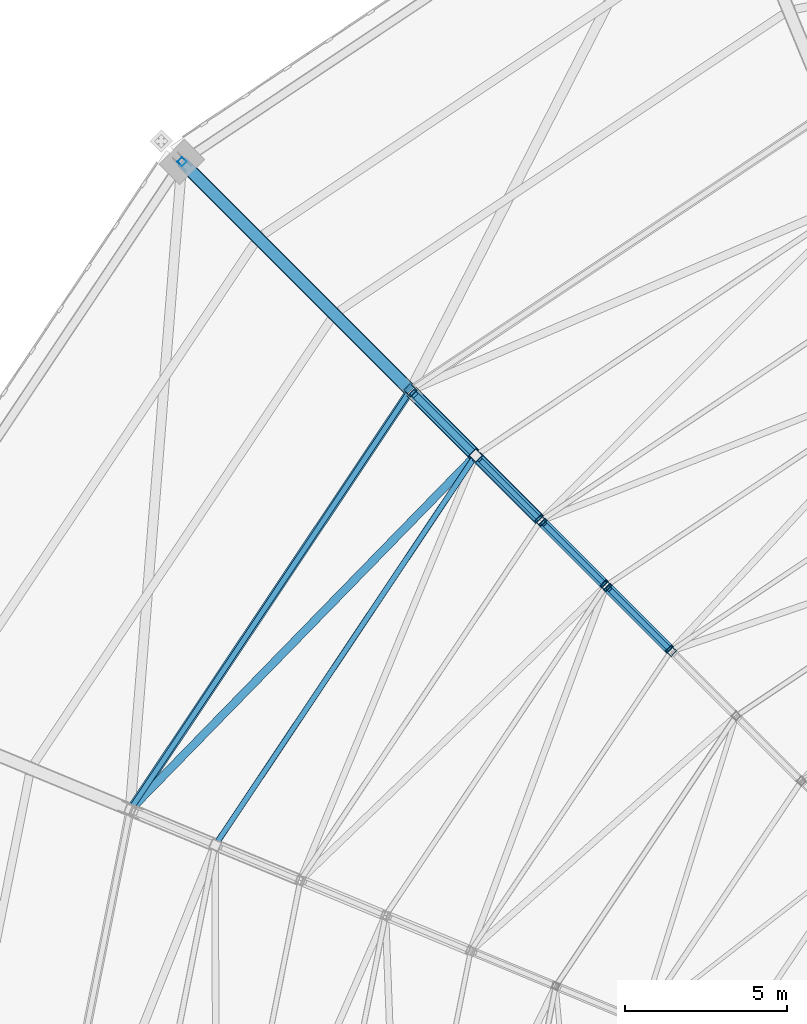
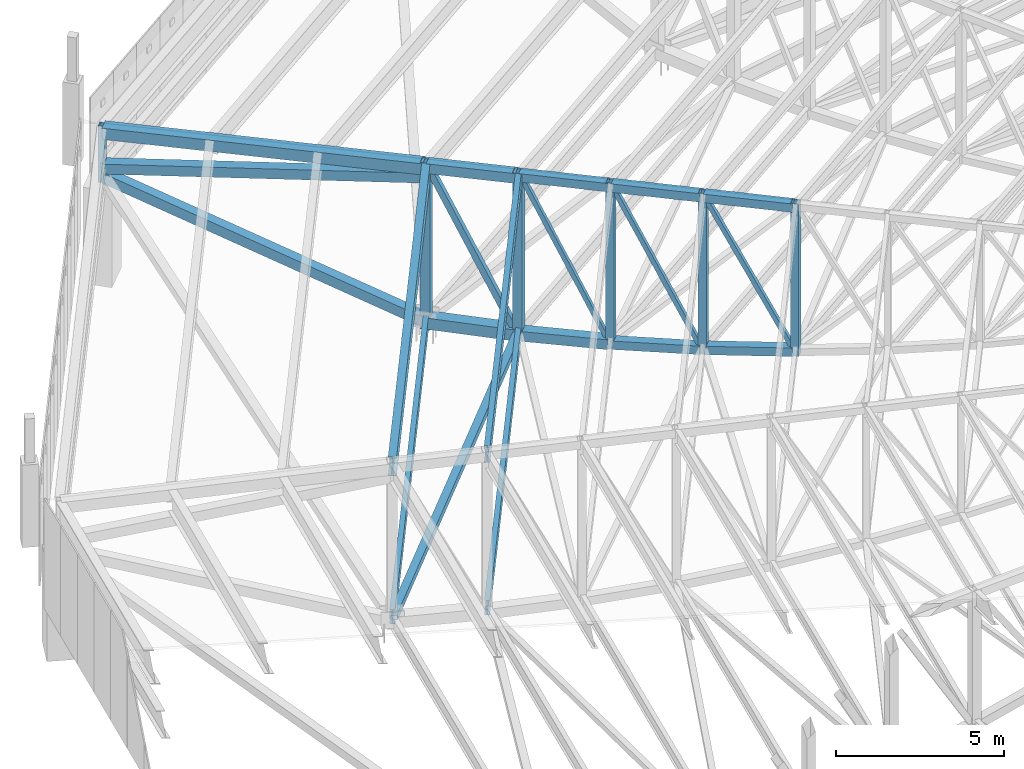
# One storey, part 70 of 278: 16 beams, 10 members.
"""IFC4 building model written with IfcOpenShell, lengths in metres."""

from ifc_helpers import new_model, si_unit, direction, frame, origin, origin_2d, place, context, subcontext, project, spatial, hollow_rectangle, i_section, extrude, material, material_profile, profile_set, type_object, element, save


model = new_model("IFC4")

# Units and contexts
model_context = context("Model", 3, precision=1e-05, world=origin(), true_north=direction((0.0, 1.0)))
body_context = subcontext(model_context, "Body", "Model", "MODEL_VIEW")
ifc_project = project(units=[si_unit("LENGTHUNIT", "METRE"), si_unit("AREAUNIT", "SQUARE_METRE"), si_unit("VOLUMEUNIT", "CUBIC_METRE"), si_unit("PLANEANGLEUNIT", "RADIAN"), si_unit("MASSUNIT", "GRAM", prefix="KILO")], contexts=[model_context])

# Site, building, storey
site_placement = place(None, origin())
site = spatial("IfcSite", under=ifc_project, at=site_placement, CompositionType="ELEMENT")
building_placement = place(site_placement, origin())
building = spatial("IfcBuilding", under=site, at=building_placement, Name="Ogive Plaza Stadium", CompositionType="ELEMENT")
storey_placement = place(building_placement, frame((0.0, 0.0, 29.0)))
storey = spatial("IfcBuildingStorey", under=building, at=storey_placement, Name="Roof", CompositionType="ELEMENT", Elevation=29.0)

# Members
ifc_material_1 = material(Name="Steel ASTM A500 Grade C", Category="steel")
ifc_material_profile_1 = material_profile(ifc_material_1, hollow_rectangle(XDim=0.25390625, YDim=0.25390625, WallThickness=0.0087890625, at=origin_2d()), Name="HSS10X10X3/8")
ifc_profile_set_1 = profile_set([ifc_material_profile_1], Name="Steel ASTM A500 Grade C")
member_type_1 = type_object("IfcMemberType", Name="Roof plan brace HSS10X10X3/8", PredefinedType="BRACE", material=ifc_profile_set_1)
member_1_placement = place(storey_placement, frame((-60.355712890625, 78.68017578125, 0.266845703125), z_axis=(-0.698042453973, -0.716044061782, -0.004199290068), x_axis=(0.71605037524, -0.698048608708, 0.0)))
element("IfcMember", 1, at=member_1_placement, inside=storey, type_object=member_type_1, Name="ROOF BRACE B29 10", PredefinedType="BRACE", context=body_context, shape_type="SweptSolid", body=[
    extrude(hollow_rectangle(XDim=0.25390625, YDim=0.25390625, WallThickness=0.0087890625, at=origin_2d()), origin(), (0.0, 0.0, 1.0), 14.999755859375),
])
ifc_material_2 = material(Name="Steel ASTM A992 Grade 50", Category="steel")
ifc_material_profile_2 = material_profile(ifc_material_2, i_section(OverallWidth=0.1650390625, OverallDepth=0.524658203125, WebThickness=0.0087890625, FlangeThickness=0.011474609375, at=origin_2d()), Name="W21X44")
ifc_profile_set_2 = profile_set([ifc_material_profile_2], Name="Steel ASTM A992 Grade 50")
member_type_2 = type_object("IfcMemberType", Name="Roof plan strut W21X44", PredefinedType="STRUT", material=ifc_profile_set_2)
member_2_placement = place(storey_placement, frame((-68.243408203125, 66.834716796875, 0.267333984375), z_axis=(0.555572061125, 0.831468390799, 0.0), x_axis=(-0.831468390799, 0.555572061125, 0.0)))
element("IfcMember", 2, at=member_2_placement, inside=storey, type_object=member_type_2, Name="ROOF STRUT B29 9", PredefinedType="STRUT", context=body_context, shape_type="SweptSolid", body=[
    extrude(i_section(OverallWidth=0.1650390625, OverallDepth=0.524658203125, WebThickness=0.0087890625, FlangeThickness=0.011474609375, at=origin_2d()), origin(), (0.0, 0.0, 1.0), 14.21142578125),
])
member_3_placement = place(storey_placement, frame((-70.87646484375, 67.92529296875, 0.203125), z_axis=(0.55557861986, 0.831464008334, 0.0), x_axis=(-0.831464008334, 0.55557861986, 0.0)))
element("IfcMember", 3, at=member_3_placement, inside=storey, type_object=member_type_2, Name="ROOF STRUT B29 10", PredefinedType="STRUT", context=body_context, shape_type="SweptSolid", body=[
    extrude(i_section(OverallWidth=0.1650390625, OverallDepth=0.524658203125, WebThickness=0.0087890625, FlangeThickness=0.011474609375, at=origin_2d()), origin(), (0.0, 0.0, 1.0), 15.323486328125),
])
ifc_material_3 = material(Name="Steel ASTM A992 Grade 50", Category="steel")
ifc_material_profile_3 = material_profile(ifc_material_3, i_section(OverallWidth=0.177978515625, OverallDepth=0.5986328125, WebThickness=0.010009765625, FlangeThickness=0.012939453125, at=origin_2d()), Name="W24X55")
ifc_profile_set_3 = profile_set([ifc_material_profile_3], Name="Steel ASTM A992 Grade 50")
member_type_3 = type_object("IfcMemberType", Name="Roof purlin W24X55", PredefinedType="PURLIN", material=ifc_profile_set_3)
member_4_placement = place(storey_placement, frame((-68.24267578125, 66.835693359375, 5.84326171875), z_axis=(0.555576164606, 0.831465648913, 0.0), x_axis=(-0.831465648913, 0.555576164606, 0.0)))
element("IfcMember", 4, at=member_4_placement, inside=storey, type_object=member_type_3, Name="ROOF PURLIN B29 9", PredefinedType="PURLIN", context=body_context, shape_type="SweptSolid", body=[
    extrude(i_section(OverallWidth=0.177978515625, OverallDepth=0.5986328125, WebThickness=0.010009765625, FlangeThickness=0.012939453125, at=origin_2d()), origin(), (0.0, 0.0, 1.0), 14.209228515625),
])
ifc_material_4 = material(Name="Steel ASTM A992 Grade 50", Category="steel")
ifc_material_profile_4 = material_profile(ifc_material_4, i_section(OverallWidth=0.2529296875, OverallDepth=0.678466796875, WebThickness=0.01171875, FlangeThickness=0.016357421875, at=origin_2d()), Name="W27X84")
ifc_profile_set_4 = profile_set([ifc_material_profile_4], Name="Steel ASTM A992 Grade 50")
member_type_4 = type_object("IfcMemberType", Name="Roof purlin W27X84", PredefinedType="PURLIN", material=ifc_profile_set_4)
member_5_placement = place(storey_placement, frame((-70.87158203125, 67.9326171875, 5.660888671875), z_axis=(0.55557226162, 0.831468256832, 0.0), x_axis=(-0.831468256832, 0.55557226162, 0.0)))
element("IfcMember", 5, at=member_5_placement, inside=storey, type_object=member_type_4, Name="ROOF PURLIN B29 10", PredefinedType="PURLIN", context=body_context, shape_type="SweptSolid", body=[
    extrude(i_section(OverallWidth=0.2529296875, OverallDepth=0.678466796875, WebThickness=0.01171875, FlangeThickness=0.016357421875, at=origin_2d()), origin(), (0.0, 0.0, 1.0), 15.30615234375),
])

# Beams
ifc_material_5 = material(Name="Steel ASTM A500 Grade C", Category="steel")
ifc_material_profile_5 = material_profile(ifc_material_5, hollow_rectangle(XDim=0.355712890625, YDim=0.355712890625, WallThickness=0.0146484375, at=origin_2d()), Name="HSS14X14X5/8")
ifc_profile_set_5 = profile_set([ifc_material_profile_5], Name="Steel ASTM A500 Grade C")
beam_type_1 = type_object("IfcBeamType", Name="Roof truss back-span bottom chord HSS14X14X5/8", PredefinedType="BEAM", material=ifc_profile_set_5)
beam_1_placement = place(storey_placement, frame((-62.319580078125, 80.819580078125, 0.205810546875), z_axis=(-0.667408831989, 0.667408831989, 0.330349666211), x_axis=(-0.707106781187, -0.707106781187, 0.0)))
element("IfcBeam", 6, at=beam_1_placement, inside=storey, type_object=beam_type_1, Name="ROOF TRUSS T30 BOTTOM CHORD 11", PredefinedType="BEAM", context=body_context, shape_type="SweptSolid", body=[
    extrude(hollow_rectangle(XDim=0.355712890625, YDim=0.355712890625, WallThickness=0.0146484375, at=origin_2d()), origin(), (0.0, 0.0, 1.0), 10.4794921875),
])
ifc_material_6 = material(Name="Steel ASTM A500 Grade C", Category="steel")
ifc_material_profile_6 = material_profile(ifc_material_6, hollow_rectangle(XDim=0.406494140625, YDim=0.406494140625, WallThickness=0.01171875, at=origin_2d()), Name="HSS16X16X1/2")
ifc_profile_set_6 = profile_set([ifc_material_profile_6], Name="Steel ASTM A500 Grade C")
beam_type_2 = type_object("IfcBeamType", Name="Roof truss back-span top chord HSS16X16X1/2", PredefinedType="BEAM", material=ifc_profile_set_6)
beam_2_placement = place(storey_placement, frame((-62.319580078125, 80.819580078125, 5.7939453125), z_axis=(-0.706225036151, 0.706225036151, -0.049923908359), x_axis=(-0.707106781187, -0.707106781187, 0.0)))
element("IfcBeam", 7, at=beam_2_placement, inside=storey, type_object=beam_type_2, Name="ROOF TRUSS T30 TOP CHORD 11", PredefinedType="BEAM", context=body_context, shape_type="SweptSolid", body=[
    extrude(hollow_rectangle(XDim=0.406494140625, YDim=0.406494140625, WallThickness=0.01171875, at=origin_2d()), origin(), (0.0, 0.0, 1.0), 9.91259765625),
])

# Member
ifc_material_7 = material(Name="Steel ASTM A500 Grade C", Category="steel")
ifc_material_profile_7 = material_profile(ifc_material_7, hollow_rectangle(XDim=0.355712890625, YDim=0.355712890625, WallThickness=0.01171875, at=origin_2d()), Name="HSS14X14X1/2")
ifc_profile_set_7 = profile_set([ifc_material_profile_7], Name="Steel ASTM A500 Grade C")
member_type_5 = type_object("IfcMemberType", Name="Roof truss back-stay HSS14X14X1/2", PredefinedType="BRACE", material=ifc_profile_set_7)
member_6_placement = place(storey_placement, frame((-62.331787109375, 80.831787109375, 5.456787109375), z_axis=(-0.699520899886, 0.699520899886, -0.146085664062), x_axis=(-0.707106781187, -0.707106781187, 0.0)))
element("IfcMember", 8, at=member_6_placement, inside=storey, type_object=member_type_5, Name="BACK-STAY T30", PredefinedType="BRACE", context=body_context, shape_type="SweptSolid", body=[
    extrude(hollow_rectangle(XDim=0.355712890625, YDim=0.355712890625, WallThickness=0.01171875, at=origin_2d()), origin(), (0.0, 0.0, 1.0), 10.02392578125),
])

# Beams
ifc_material_8 = material(Name="Steel ASTM A500 Grade C", Category="steel")
ifc_material_profile_8 = material_profile(ifc_material_8, hollow_rectangle(XDim=0.3046875, YDim=0.3046875, WallThickness=0.0146484375, at=origin_2d()), Name="HSS12X12X5/8")
ifc_profile_set_8 = profile_set([ifc_material_profile_8], Name="Steel ASTM A500 Grade C")
beam_type_3 = type_object("IfcBeamType", Name="Roof truss bottom chord HSS12X12X5/8", PredefinedType="BEAM", material=ifc_profile_set_8)
beam_3_placement = place(storey_placement, frame((-54.258544921875, 72.758544921875, 1.17431640625), z_axis=(-0.698468783112, 0.698468783112, -0.155829130896), x_axis=(-0.707106781187, -0.707106781187, 0.0)))
element("IfcBeam", 9, at=beam_3_placement, inside=storey, type_object=beam_type_3, Name="ROOF TRUSS T30 BOTTOM CHORD 7", PredefinedType="BEAM", context=body_context, shape_type="SweptSolid", body=[
    extrude(hollow_rectangle(XDim=0.3046875, YDim=0.3046875, WallThickness=0.0146484375, at=origin_2d()), origin(), (0.0, 0.0, 1.0), 2.7841796875),
])
beam_4_placement = place(storey_placement, frame((-56.27392578125, 74.77392578125, 0.72607421875), z_axis=(-0.702654892107, 0.702654892107, -0.112036624354), x_axis=(-0.707106781187, -0.707106781187, 0.0)))
element("IfcBeam", 10, at=beam_4_placement, inside=storey, type_object=beam_type_3, Name="ROOF TRUSS T30 BOTTOM CHORD 8", PredefinedType="BEAM", context=body_context, shape_type="SweptSolid", body=[
    extrude(hollow_rectangle(XDim=0.3046875, YDim=0.3046875, WallThickness=0.0146484375, at=origin_2d()), origin(), (0.0, 0.0, 1.0), 2.767578125),
])
ifc_material_9 = material(Name="Steel ASTM A500 Grade C", Category="steel")
ifc_material_profile_9 = material_profile(ifc_material_9, hollow_rectangle(XDim=0.355712890625, YDim=0.355712890625, WallThickness=0.0146484375, at=origin_2d()), Name="HSS14X14X5/8")
ifc_profile_set_9 = profile_set([ifc_material_profile_9], Name="Steel ASTM A500 Grade C")
beam_type_4 = type_object("IfcBeamType", Name="Roof truss bottom chord HSS14X14X5/8", PredefinedType="BEAM", material=ifc_profile_set_9)
beam_5_placement = place(storey_placement, frame((-58.2890625, 76.7890625, 0.431884765625), z_axis=(-0.705494369508, 0.705494369508, -0.067493623298), x_axis=(-0.707106781187, -0.707106781187, 0.0)))
element("IfcBeam", 11, at=beam_5_placement, inside=storey, type_object=beam_type_4, Name="ROOF TRUSS T30 BOTTOM CHORD 9", PredefinedType="BEAM", context=body_context, shape_type="SweptSolid", body=[
    extrude(hollow_rectangle(XDim=0.355712890625, YDim=0.355712890625, WallThickness=0.0146484375, at=origin_2d()), origin(), (0.0, 0.0, 1.0), 2.75634765625),
])
ifc_material_10 = material(Name="Steel ASTM A500 Grade C", Category="steel")
ifc_material_profile_10 = material_profile(ifc_material_10, hollow_rectangle(XDim=0.406494140625, YDim=0.406494140625, WallThickness=0.0146484375, at=origin_2d()), Name="HSS16X16X5/8")
ifc_profile_set_10 = profile_set([ifc_material_profile_10], Name="Steel ASTM A500 Grade C")
beam_type_5 = type_object("IfcBeamType", Name="Roof truss bottom chord HSS16X16X5/8", PredefinedType="BEAM", material=ifc_profile_set_10)
beam_6_placement = place(storey_placement, frame((-60.304443359375, 78.804443359375, 0.266357421875), z_axis=(-0.706927078197, 0.706927078197, -0.02254356282), x_axis=(-0.707106781187, -0.707106781187, 0.0)))
element("IfcBeam", 12, at=beam_6_placement, inside=storey, type_object=beam_type_5, Name="ROOF TRUSS T30 BOTTOM CHORD 10", PredefinedType="BEAM", context=body_context, shape_type="SweptSolid", body=[
    extrude(hollow_rectangle(XDim=0.406494140625, YDim=0.406494140625, WallThickness=0.0146484375, at=origin_2d()), origin(), (0.0, 0.0, 1.0), 2.750732421875),
])

# Members
ifc_material_11 = material(Name="Steel ASTM A500 Grade C", Category="steel")
ifc_material_profile_11 = material_profile(ifc_material_11, hollow_rectangle(XDim=0.15234375, YDim=0.15234375, WallThickness=0.0087890625, at=origin_2d()), Name="HSS6X6X3/8")
ifc_profile_set_11 = profile_set([ifc_material_profile_11], Name="Steel ASTM A500 Grade C")
member_type_6 = type_object("IfcMemberType", Name="Roof truss diagonal HSS6X6X3/8", PredefinedType="BRACE", material=ifc_profile_set_11)
member_7_placement = place(storey_placement, frame((-54.31298828125, 72.81298828125, 1.332763671875), z_axis=(-0.336929331101, 0.336929331101, 0.879179874478), x_axis=(-0.707106781187, -0.707106781187, 0.0)))
element("IfcMember", 13, at=member_7_placement, inside=storey, type_object=member_type_6, Name="ROOF TRUSS T30 DIAGONAL 7", PredefinedType="BRACE", context=body_context, shape_type="SweptSolid", body=[
    extrude(hollow_rectangle(XDim=0.15234375, YDim=0.15234375, WallThickness=0.0087890625, at=origin_2d()), origin(), (0.0, 0.0, 1.0), 5.4482421875),
])
member_8_placement = place(storey_placement, frame((-56.328369140625, 74.828369140625, 0.883056640625), z_axis=(-0.320914321747, 0.320914321747, 0.891082485629), x_axis=(-0.707106781187, -0.707106781187, 0.0)))
element("IfcMember", 14, at=member_8_placement, inside=storey, type_object=member_type_6, Name="ROOF TRUSS T30 DIAGONAL 8", PredefinedType="BRACE", context=body_context, shape_type="SweptSolid", body=[
    extrude(hollow_rectangle(XDim=0.15234375, YDim=0.15234375, WallThickness=0.0087890625, at=origin_2d()), origin(), (0.0, 0.0, 1.0), 5.72021484375),
])
member_9_placement = place(storey_placement, frame((-58.343505859375, 76.843505859375, 0.612548828125), z_axis=(-0.312137612277, 0.312137612277, 0.897296061511), x_axis=(-0.707106781187, -0.707106781187, 0.0)))
element("IfcMember", 15, at=member_9_placement, inside=storey, type_object=member_type_6, Name="ROOF TRUSS T30 DIAGONAL 9", PredefinedType="BRACE", context=body_context, shape_type="SweptSolid", body=[
    extrude(hollow_rectangle(XDim=0.15234375, YDim=0.15234375, WallThickness=0.0087890625, at=origin_2d()), origin(), (0.0, 0.0, 1.0), 5.8232421875),
])
ifc_material_12 = material(Name="Steel ASTM A500 Grade C", Category="steel")
ifc_material_profile_12 = material_profile(ifc_material_12, hollow_rectangle(XDim=0.203125, YDim=0.203125, WallThickness=0.0087890625, at=origin_2d()), Name="HSS8X8X3/8")
ifc_profile_set_12 = profile_set([ifc_material_profile_12], Name="Steel ASTM A500 Grade C")
member_type_7 = type_object("IfcMemberType", Name="Roof truss diagonal HSS8X8X3/8", PredefinedType="BRACE", material=ifc_profile_set_12)
member_10_placement = place(storey_placement, frame((-60.376708984375, 78.876708984375, 0.470703125), z_axis=(-0.31215123017, 0.31215123017, 0.897286586887), x_axis=(-0.707106781187, -0.707106781187, 0.0)))
element("IfcMember", 16, at=member_10_placement, inside=storey, type_object=member_type_7, Name="ROOF TRUSS T30 DIAGONAL 10", PredefinedType="BRACE", context=body_context, shape_type="SweptSolid", body=[
    extrude(hollow_rectangle(XDim=0.203125, YDim=0.203125, WallThickness=0.0087890625, at=origin_2d()), origin(), (0.0, 0.0, 1.0), 5.765869140625),
])

# Beams
ifc_material_13 = material(Name="Steel ASTM A500 Grade C", Category="steel")
ifc_material_profile_13 = material_profile(ifc_material_13, hollow_rectangle(XDim=0.25390625, YDim=0.25390625, WallThickness=0.01171875, at=origin_2d()), Name="HSS10X10X1/2")
ifc_profile_set_13 = profile_set([ifc_material_profile_13], Name="Steel ASTM A500 Grade C")
beam_type_6 = type_object("IfcBeamType", Name="Roof truss post HSS10X10X1/2", PredefinedType="BEAM", material=ifc_profile_set_13)
beam_7_placement = place(storey_placement, frame((-54.22314453125, 72.72314453125, 1.028076171875), z_axis=(0.0, 0.0, 1.0), x_axis=(-0.707106781187, -0.707106781187, 0.0)))
element("IfcBeam", 17, at=beam_7_placement, inside=storey, type_object=beam_type_6, Name="ROOF TRUSS T30 POST 7", PredefinedType="BEAM", context=body_context, shape_type="SweptSolid", body=[
    extrude(hollow_rectangle(XDim=0.25390625, YDim=0.25390625, WallThickness=0.01171875, at=origin_2d()), origin(), (0.0, 0.0, 1.0), 5.5419921875),
])
beam_8_placement = place(storey_placement, frame((-56.238525390625, 74.738525390625, 0.578369140625), z_axis=(0.0, 0.0, 1.0), x_axis=(-0.707106781187, -0.707106781187, 0.0)))
element("IfcBeam", 18, at=beam_8_placement, inside=storey, type_object=beam_type_6, Name="ROOF TRUSS T30 POST 8", PredefinedType="BEAM", context=body_context, shape_type="SweptSolid", body=[
    extrude(hollow_rectangle(XDim=0.25390625, YDim=0.25390625, WallThickness=0.01171875, at=origin_2d()), origin(), (0.0, 0.0, 1.0), 5.84912109375),
])
beam_9_placement = place(storey_placement, frame((-58.253662109375, 76.753662109375, 0.257080078125), z_axis=(0.0, 0.0, 1.0), x_axis=(-0.707106781187, -0.707106781187, 0.0)))
element("IfcBeam", 19, at=beam_9_placement, inside=storey, type_object=beam_type_6, Name="ROOF TRUSS T30 POST 9", PredefinedType="BEAM", context=body_context, shape_type="SweptSolid", body=[
    extrude(hollow_rectangle(XDim=0.25390625, YDim=0.25390625, WallThickness=0.01171875, at=origin_2d()), origin(), (0.0, 0.0, 1.0), 6.02783203125),
])
ifc_material_14 = material(Name="Steel ASTM A500 Grade C", Category="steel")
ifc_material_profile_14 = material_profile(ifc_material_14, hollow_rectangle(XDim=0.3046875, YDim=0.3046875, WallThickness=0.01171875, at=origin_2d()), Name="HSS12X12X1/2")
ifc_profile_set_14 = profile_set([ifc_material_profile_14], Name="Steel ASTM A500 Grade C")
beam_type_7 = type_object("IfcBeamType", Name="Roof truss post HSS12X12X1/2", PredefinedType="BEAM", material=ifc_profile_set_14)
beam_10_placement = place(storey_placement, frame((-60.26904296875, 78.76904296875, 0.064208984375), z_axis=(0.0, 0.0, 1.0), x_axis=(-0.707106781187, -0.707106781187, 0.0)))
element("IfcBeam", 20, at=beam_10_placement, inside=storey, type_object=beam_type_7, Name="ROOF TRUSS T30 POST 10", PredefinedType="BEAM", context=body_context, shape_type="SweptSolid", body=[
    extrude(hollow_rectangle(XDim=0.3046875, YDim=0.3046875, WallThickness=0.01171875, at=origin_2d()), origin(), (0.0, 0.0, 1.0), 6.078369140625),
])
beam_11_placement = place(storey_placement, frame((-62.2841796875, 80.7841796875, -0.06005859375), z_axis=(0.0, 0.0, 1.0), x_axis=(-0.707106781187, -0.707106781187, 0.0)))
element("IfcBeam", 21, at=beam_11_placement, inside=storey, type_object=beam_type_7, Name="ROOF TRUSS T30 POST 11", PredefinedType="BEAM", context=body_context, shape_type="SweptSolid", body=[
    extrude(hollow_rectangle(XDim=0.3046875, YDim=0.3046875, WallThickness=0.01171875, at=origin_2d()), origin(), (0.0, 0.0, 1.0), 6.06005859375),
])
ifc_material_15 = material(Name="Steel ASTM A500 Grade C", Category="steel")
ifc_material_profile_15 = material_profile(ifc_material_15, hollow_rectangle(XDim=0.203125, YDim=0.203125, WallThickness=0.0087890625, at=origin_2d()), Name="HSS8X8X3/8")
ifc_profile_set_15 = profile_set([ifc_material_profile_15], Name="Steel ASTM A500 Grade C")
beam_type_8 = type_object("IfcBeamType", Name="Roof truss post HSS8X8X3/8", PredefinedType="BEAM", material=ifc_profile_set_15)
beam_12_placement = place(storey_placement, frame((-69.355224609375, 87.855224609375, 3.43994140625), z_axis=(0.0, 0.0, 1.0), x_axis=(-0.707106781187, -0.707106781187, 0.0)))
element("IfcBeam", 22, at=beam_12_placement, inside=storey, type_object=beam_type_8, Name="ROOF TRUSS T30 POST 12", PredefinedType="BEAM", context=body_context, shape_type="SweptSolid", body=[
    extrude(hollow_rectangle(XDim=0.203125, YDim=0.203125, WallThickness=0.0087890625, at=origin_2d()), origin(), (0.0, 0.0, 1.0), 2.06005859375),
])
ifc_material_16 = material(Name="Steel ASTM A500 Grade C", Category="steel")
ifc_material_profile_16 = material_profile(ifc_material_16, hollow_rectangle(XDim=0.3046875, YDim=0.3046875, WallThickness=0.01171875, at=origin_2d()), Name="HSS12X12X1/2")
ifc_profile_set_16 = profile_set([ifc_material_profile_16], Name="Steel ASTM A500 Grade C")
beam_type_9 = type_object("IfcBeamType", Name="Roof truss top chord HSS12X12X1/2", PredefinedType="BEAM", material=ifc_profile_set_16)
beam_13_placement = place(storey_placement, frame((-58.2890625, 76.7890625, 6.1298828125), z_axis=(-0.706225209818, 0.706225209818, -0.049918994743), x_axis=(-0.707106781187, -0.707106781187, 0.0)))
element("IfcBeam", 23, at=beam_13_placement, inside=storey, type_object=beam_type_9, Name="ROOF TRUSS T30 TOP CHORD 9", PredefinedType="BEAM", context=body_context, shape_type="SweptSolid", body=[
    extrude(hollow_rectangle(XDim=0.3046875, YDim=0.3046875, WallThickness=0.01171875, at=origin_2d()), origin(), (0.0, 0.0, 1.0), 2.75341796875),
])
ifc_material_17 = material(Name="Steel ASTM A500 Grade C", Category="steel")
ifc_material_profile_17 = material_profile(ifc_material_17, hollow_rectangle(XDim=0.3046875, YDim=0.3046875, WallThickness=0.0087890625, at=origin_2d()), Name="HSS12X12X3/8")
ifc_profile_set_17 = profile_set([ifc_material_profile_17], Name="Steel ASTM A500 Grade C")
beam_type_10 = type_object("IfcBeamType", Name="Roof truss top chord HSS12X12X3/8", PredefinedType="BEAM", material=ifc_profile_set_17)
for number, where, z_axis, x_axis, name in (
    (24, (-54.258544921875, 72.758544921875, 6.414794921875), (-0.706225209818, 0.706225209818, -0.049918994743), (-0.707106781187, -0.707106781187, 0.0), "ROOF TRUSS T30 TOP CHORD 7"),
    (25, (-56.27392578125, 74.77392578125, 6.2724609375), (-0.706225209818, 0.706225209818, -0.049918994743), (-0.707106781187, -0.707106781187, 0.0), "ROOF TRUSS T30 TOP CHORD 8"),
):
    element("IfcBeam", number, at=place(storey_placement, frame(where, z_axis=z_axis, x_axis=x_axis)), inside=storey, type_object=beam_type_10, Name=name, PredefinedType="BEAM", context=body_context, shape_type="SweptSolid", body=[
        extrude(hollow_rectangle(XDim=0.3046875, YDim=0.3046875, WallThickness=0.0087890625, at=origin_2d()), origin(), (0.0, 0.0, 1.0), 2.75341796875),
    ])
ifc_material_18 = material(Name="Steel ASTM A500 Grade C", Category="steel")
ifc_material_profile_18 = material_profile(ifc_material_18, hollow_rectangle(XDim=0.355712890625, YDim=0.355712890625, WallThickness=0.01171875, at=origin_2d()), Name="HSS14X14X1/2")
ifc_profile_set_18 = profile_set([ifc_material_profile_18], Name="Steel ASTM A500 Grade C")
beam_type_11 = type_object("IfcBeamType", Name="Roof truss top chord HSS14X14X1/2", PredefinedType="BEAM", material=ifc_profile_set_18)
beam_14_placement = place(storey_placement, frame((-60.304443359375, 78.804443359375, 5.9619140625), z_axis=(-0.706225209818, 0.706225209818, -0.049918994743), x_axis=(-0.707106781187, -0.707106781187, 0.0)))
element("IfcBeam", 26, at=beam_14_placement, inside=storey, type_object=beam_type_11, Name="ROOF TRUSS T30 TOP CHORD 10", PredefinedType="BEAM", context=body_context, shape_type="SweptSolid", body=[
    extrude(hollow_rectangle(XDim=0.355712890625, YDim=0.355712890625, WallThickness=0.01171875, at=origin_2d()), origin(), (0.0, 0.0, 1.0), 2.75341796875),
])

save(model, "model.ifc")
